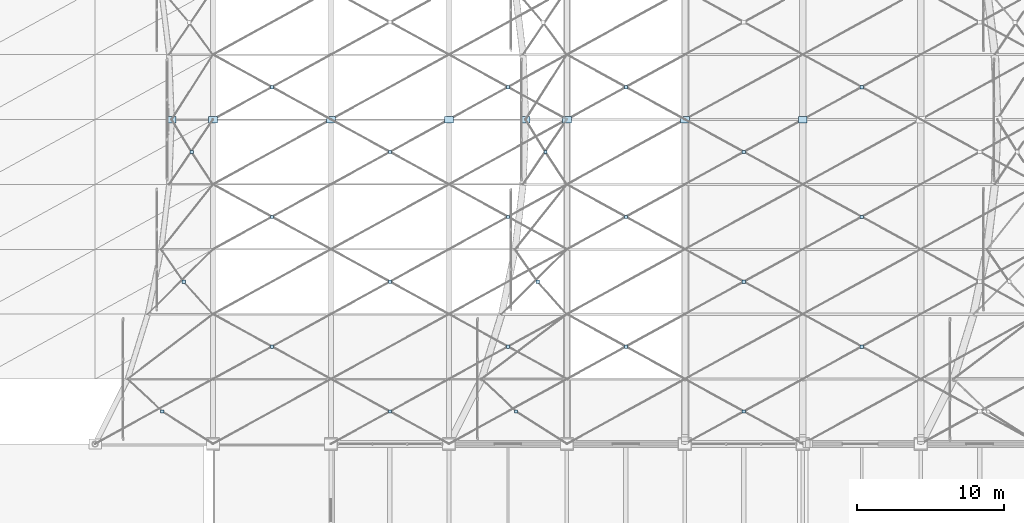
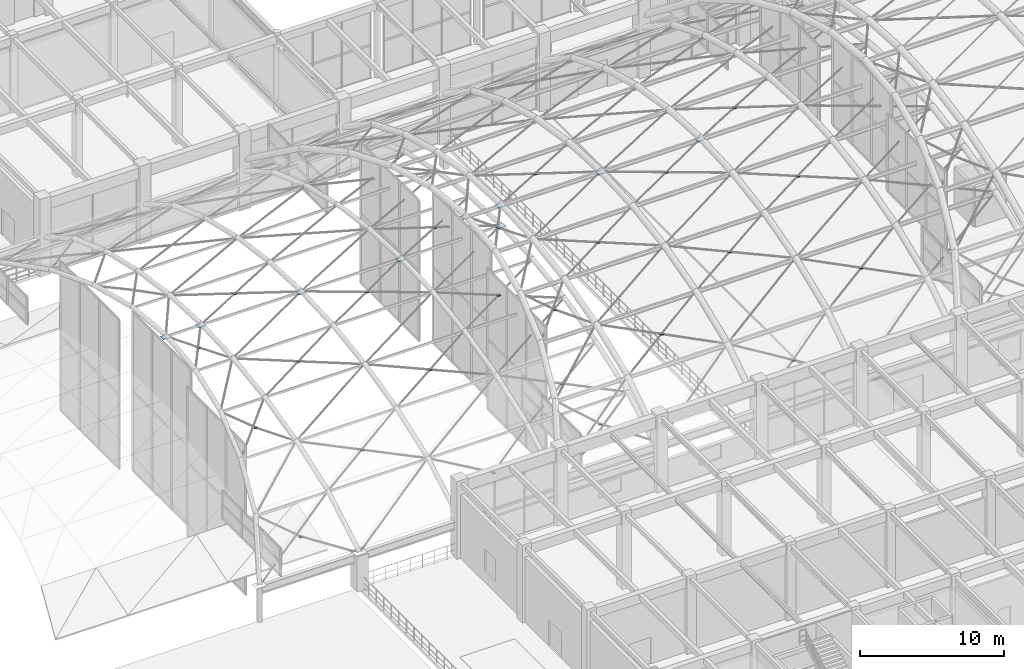
# One storey, part 121 of 163: 33 plates.
"""IFC4 building model written with IfcOpenShell, lengths in metres."""

from ifc_helpers import new_model, si_unit, direction, frame, origin, origin_2d, place, context, subcontext, project, spatial, rectangle, extrude, material, layer, layer_set, type_object, element, save


model = new_model("IFC4")

# Units and contexts
model_context = context("Model", 3, precision=1e-05, world=origin(), true_north=direction((0.0, 1.0)))
body_context = subcontext(model_context, "Body", "Model", "MODEL_VIEW")
ifc_project = project(units=[si_unit("LENGTHUNIT", "METRE"), si_unit("AREAUNIT", "SQUARE_METRE"), si_unit("VOLUMEUNIT", "CUBIC_METRE"), si_unit("PLANEANGLEUNIT", "RADIAN"), si_unit("MASSUNIT", "GRAM", prefix="KILO")], contexts=[model_context])

# Site, building, storey
site_placement = place(None, origin())
site = spatial("IfcSite", under=ifc_project, at=site_placement, CompositionType="ELEMENT")
building_placement = place(site_placement, origin())
building = spatial("IfcBuilding", under=site, at=building_placement, Name="Varnabhumi Central Station", CompositionType="ELEMENT")
storey_placement = place(building_placement, frame((0.0, 0.0, 9.60009765625)))
storey = spatial("IfcBuildingStorey", under=building, at=storey_placement, Name="L02", CompositionType="ELEMENT", Elevation=9.60009765625)

# Plates
ifc_material = material(Name="Structural steel E450", Category="steel")
ifc_layer = layer(ifc_material, 0.035888671875, Name="Structural steel E450", Category="steel")
ifc_layer_set = layer_set([ifc_layer], Name="Structural steel E450")
plate_type = type_object("IfcPlateType", Name="PLT-CLEVIS-C", PredefinedType="SHEET", material=ifc_layer_set)
for number, where, z_axis, x_axis, name in (
    (1, (21.199951171875, 58.0, 8.86181640625), (0.0, 0.0, 1.0), (1.0, 0.0, 0.0), "Entrance Portico Vault Crown Cable Clevis Plate 1"),
    (2, (24.0, 58.0, 8.86181640625), (0.0, 0.0, 1.0), (1.0, 0.0, 0.0), "Entrance Portico Vault Crown Cable Clevis Plate 2"),
    (3, (32.0, 58.0, 8.86181640625), (0.0, 0.0, 1.0), (1.0, 0.0, 0.0), "Entrance Portico Vault Crown Cable Clevis Plate 3"),
    (4, (40.0, 58.0, 8.86181640625), (0.0, 0.0, 1.0), (1.0, 0.0, 0.0), "Entrance Portico Vault Crown Cable Clevis Plate 4"),
    (5, (48.0, 58.0, 8.86181640625), (0.0, 0.0, 1.0), (1.0, 0.0, 0.0), "Entrance Portico Vault Crown Cable Clevis Plate 5"),
):
    element("IfcPlate", number, at=place(storey_placement, frame(where, z_axis=z_axis, x_axis=x_axis)), inside=storey, type_object=plate_type, Name=name, PredefinedType="SHEET", context=body_context, shape_type="SweptSolid", body=[
        extrude(rectangle(XDim=0.60009765625, YDim=0.449951171875, at=origin_2d()), origin(), (0.0, 0.0, 1.0), 0.035888671875),
    ])
for number, where, z_axis, x_axis, name in (
    (6, (20.553466796875, 38.199951171875, 4.18310546875), (0.0, 0.0, 1.0), (1.0, 0.0, 0.0), "Entrance Portico Vault Cable-Net Crossing Clamp Node B1-P1"),
    (7, (22.01708984375, 47.0, 7.56103515625), (0.0, 0.0, 1.0), (1.0, 0.0, 0.0), "Entrance Portico Vault Cable-Net Crossing Clamp Node B1-P3"),
    (8, (22.55615234375, 55.800048828125, 8.8046875), (0.0, 0.0, 1.0), (1.0, 0.0, 0.0), "Entrance Portico Vault Cable-Net Crossing Clamp Node B1-P5"),
    (9, (28.0, 42.60009765625, 6.2470703125), (0.0, 0.0, 1.0), (1.0, 0.0, 0.0), "Entrance Portico Vault Cable-Net Crossing Clamp Node B2-P2"),
    (10, (28.0, 51.39990234375, 8.39599609375), (0.0, 0.0, 1.0), (1.0, 0.0, 0.0), "Entrance Portico Vault Cable-Net Crossing Clamp Node B2-P4"),
    (11, (28.0, 60.199951171875, 8.8046875), (0.0, 0.0, 1.0), (1.0, 0.0, 0.0), "Entrance Portico Vault Cable-Net Crossing Clamp Node B2-P6"),
    (12, (36.0, 38.199951171875, 4.18310546875), (0.0, 0.0, 1.0), (1.0, 0.0, 0.0), "Entrance Portico Vault Cable-Net Crossing Clamp Node B3-P1"),
    (13, (36.0, 47.0, 7.56103515625), (0.0, 0.0, 1.0), (1.0, 0.0, 0.0), "Entrance Portico Vault Cable-Net Crossing Clamp Node B3-P3"),
    (14, (36.0, 55.800048828125, 8.8046875), (0.0, 0.0, 1.0), (1.0, 0.0, 0.0), "Entrance Portico Vault Cable-Net Crossing Clamp Node B3-P5"),
    (15, (44.0, 42.60009765625, 6.2470703125), (0.0, 0.0, 1.0), (1.0, 0.0, 0.0), "Entrance Portico Vault Cable-Net Crossing Clamp Node B4-P2"),
    (16, (44.0, 51.39990234375, 8.39599609375), (0.0, 0.0, 1.0), (1.0, 0.0, 0.0), "Entrance Portico Vault Cable-Net Crossing Clamp Node B4-P4"),
    (17, (44.0, 60.199951171875, 8.8046875), (0.0, 0.0, 1.0), (1.0, 0.0, 0.0), "Entrance Portico Vault Cable-Net Crossing Clamp Node B4-P6"),
):
    element("IfcPlate", number, at=place(storey_placement, frame(where, z_axis=z_axis, x_axis=x_axis)), inside=storey, type_object=plate_type, Name=name, PredefinedType="SHEET", context=body_context, shape_type="SweptSolid", body=[
        extrude(rectangle(XDim=0.219970703125, YDim=0.219970703125, at=origin_2d()), origin(), (0.0, 0.0, 1.0), 0.028076171875),
    ])
for number, where, z_axis, x_axis, name in (
    (18, (45.199951171875, 58.0, 10.61181640625), (0.0, 0.0, 1.0), (1.0, 0.0, 0.0), "Ticket Hall Vault Crown Cable Clevis Plate 1"),
    (19, (48.0, 58.0, 10.61181640625), (0.0, 0.0, 1.0), (1.0, 0.0, 0.0), "Ticket Hall Vault Crown Cable Clevis Plate 2"),
    (20, (56.0, 58.0, 10.61181640625), (0.0, 0.0, 1.0), (1.0, 0.0, 0.0), "Ticket Hall Vault Crown Cable Clevis Plate 3"),
    (21, (64.0, 58.0, 10.61181640625), (0.0, 0.0, 1.0), (1.0, 0.0, 0.0), "Ticket Hall Vault Crown Cable Clevis Plate 4"),
):
    element("IfcPlate", number, at=place(storey_placement, frame(where, z_axis=z_axis, x_axis=x_axis)), inside=storey, type_object=plate_type, Name=name, PredefinedType="SHEET", context=body_context, shape_type="SweptSolid", body=[
        extrude(rectangle(XDim=0.60009765625, YDim=0.449951171875, at=origin_2d()), origin(), (0.0, 0.0, 1.0), 0.035888671875),
    ])
for number, where, z_axis, x_axis, name in (
    (22, (44.553466796875, 38.199951171875, 5.30322265625), (0.0, 0.0, 1.0), (1.0, 0.0, 0.0), "Ticket Hall Vault Cable-Net Crossing Clamp Node B1-P1"),
    (23, (46.01708984375, 47.0, 9.13134765625), (0.0, 0.0, 1.0), (1.0, 0.0, 0.0), "Ticket Hall Vault Cable-Net Crossing Clamp Node B1-P3"),
    (24, (46.55615234375, 55.800048828125, 10.541015625), (0.0, 0.0, 1.0), (1.0, 0.0, 0.0), "Ticket Hall Vault Cable-Net Crossing Clamp Node B1-P5"),
    (25, (52.0, 42.60009765625, 7.642578125), (0.0, 0.0, 1.0), (1.0, 0.0, 0.0), "Ticket Hall Vault Cable-Net Crossing Clamp Node B2-P2"),
    (26, (52.0, 51.39990234375, 10.07763671875), (0.0, 0.0, 1.0), (1.0, 0.0, 0.0), "Ticket Hall Vault Cable-Net Crossing Clamp Node B2-P4"),
    (27, (52.0, 60.199951171875, 10.541015625), (0.0, 0.0, 1.0), (1.0, 0.0, 0.0), "Ticket Hall Vault Cable-Net Crossing Clamp Node B2-P6"),
    (28, (60.0, 38.199951171875, 5.30322265625), (0.0, 0.0, 1.0), (1.0, 0.0, 0.0), "Ticket Hall Vault Cable-Net Crossing Clamp Node B3-P1"),
    (29, (60.0, 47.0, 9.13134765625), (0.0, 0.0, 1.0), (1.0, 0.0, 0.0), "Ticket Hall Vault Cable-Net Crossing Clamp Node B3-P3"),
    (30, (60.0, 55.800048828125, 10.541015625), (0.0, 0.0, 1.0), (1.0, 0.0, 0.0), "Ticket Hall Vault Cable-Net Crossing Clamp Node B3-P5"),
    (31, (68.0, 42.60009765625, 7.642578125), (0.0, 0.0, 1.0), (1.0, 0.0, 0.0), "Ticket Hall Vault Cable-Net Crossing Clamp Node B4-P2"),
    (32, (68.0, 51.39990234375, 10.07763671875), (0.0, 0.0, 1.0), (1.0, 0.0, 0.0), "Ticket Hall Vault Cable-Net Crossing Clamp Node B4-P4"),
    (33, (68.0, 60.199951171875, 10.541015625), (0.0, 0.0, 1.0), (1.0, 0.0, 0.0), "Ticket Hall Vault Cable-Net Crossing Clamp Node B4-P6"),
):
    element("IfcPlate", number, at=place(storey_placement, frame(where, z_axis=z_axis, x_axis=x_axis)), inside=storey, type_object=plate_type, Name=name, PredefinedType="SHEET", context=body_context, shape_type="SweptSolid", body=[
        extrude(rectangle(XDim=0.219970703125, YDim=0.219970703125, at=origin_2d()), origin(), (0.0, 0.0, 1.0), 0.028076171875),
    ])

save(model, "model.ifc")
